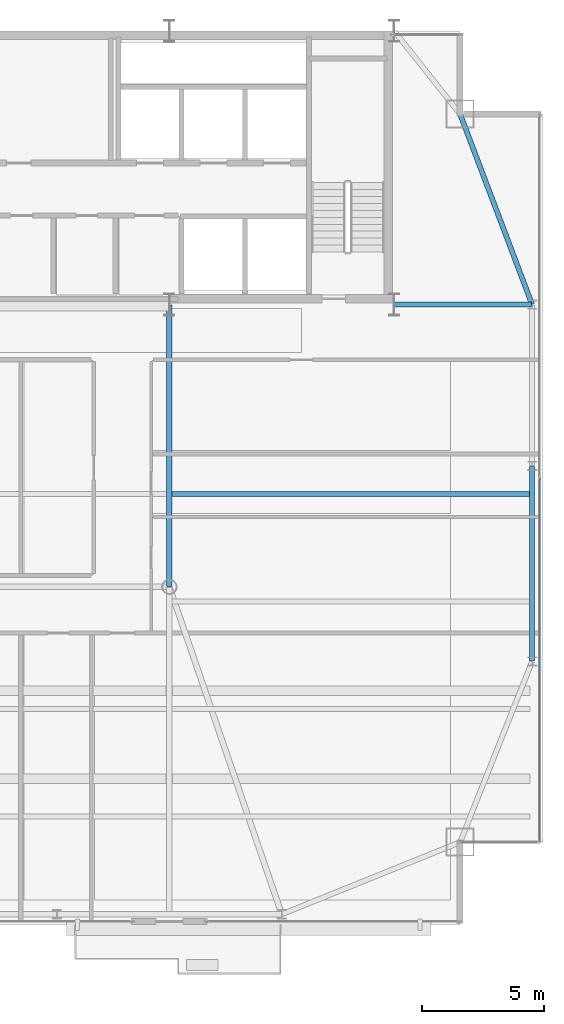
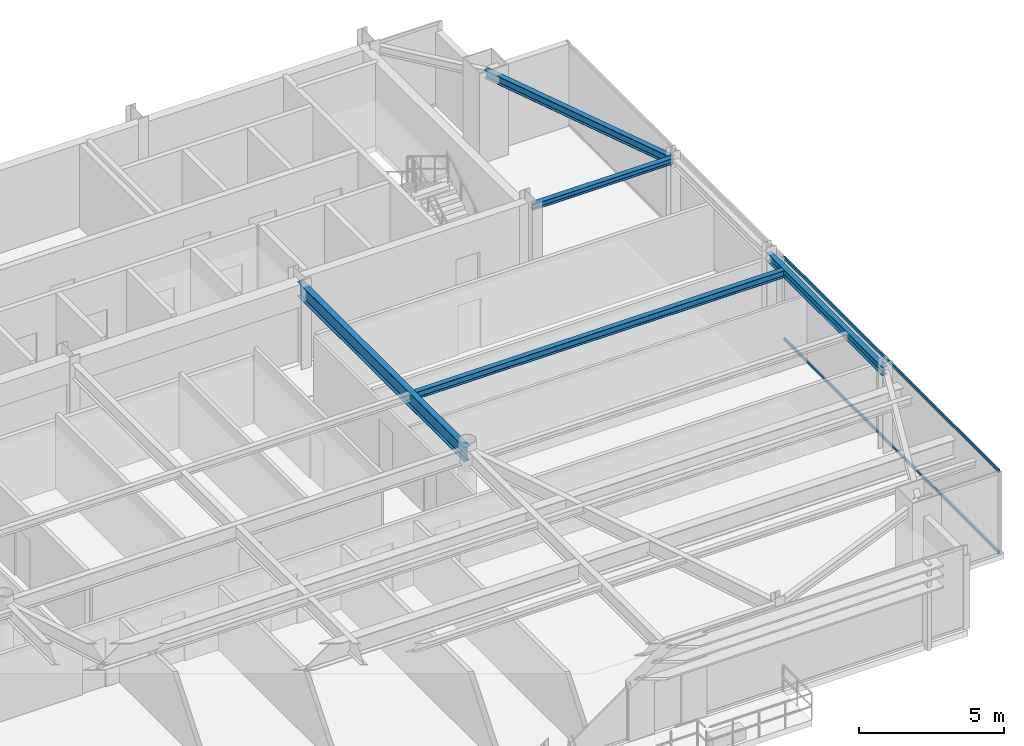
# One storey, part 18 of 28: 5 beams, 2 members, 1 element without a shape of its own.
"""IFC4 building model written with IfcOpenShell, lengths in metres."""

import ifcopenshell
import ifcopenshell.guid

model = None  # the IFC model being written
_history = None  # IfcOwnerHistory: only IFC2X3 demands one
_inside = {}  # id of a spatial element -> (the spatial element, [elements in it])
_under = {}  # id of a project, library or spatial element -> (it, [spatial elements below it])
_declared = {}  # id of a project -> (the project, [libraries it declares])
_typed = {}  # id of a type object -> (the type object, [elements of that type])
_made_of = {}  # id of a material, layer set ... -> (it, [elements and type objects made of it])


def new_model(schema):
    """Start an empty IFC model of exactly this schema.

    Asked for "IFC4X3", IfcOpenShell would pick the latest addendum, in which some entities
    have other attributes; the version numbers below select the first issue.
    IFC2X3 requires an IfcOwnerHistory on every rooted entity: one is made here for all.
    """
    global model, _history
    if schema == "IFC4X3":
        model = ifcopenshell.file(schema_version=(4, 3, 0, 0))
    else:
        model = ifcopenshell.file(schema=schema)
    _inside.clear()
    _under.clear()
    _declared.clear()
    _typed.clear()
    _made_of.clear()
    _history = None
    if model.schema == "IFC2X3":
        org = make("IfcOrganization", Name="unknown")
        user = make(
            "IfcPersonAndOrganization",
            ThePerson=make("IfcPerson", FamilyName="unknown"),
            TheOrganization=org,
        )
        app = make(
            "IfcApplication",
            ApplicationDeveloper=org,
            Version="unknown",
            ApplicationFullName="unknown",
            ApplicationIdentifier="unknown",
        )
        _history = make(
            "IfcOwnerHistory",
            OwningUser=user,
            OwningApplication=app,
            ChangeAction="ADDED",
            CreationDate=0,
        )
    return model


def make(cls, **values):
    """One entity of the class cls with the attributes given. An attribute that is None is left unset."""
    return model.create_entity(
        cls, **{name: value for name, value in values.items() if value is not None}
    )


def rooted(cls, **values):
    """An entity with a GlobalId (a new one), such as an element, a storey or a relation."""
    return make(cls, GlobalId=ifcopenshell.guid.new(), OwnerHistory=_history, **values)


def si_unit(unit_type, name, prefix=None):
    """IfcSIUnit, for example si_unit("LENGTHUNIT", "METRE", prefix="MILLI")."""
    return make("IfcSIUnit", UnitType=unit_type, Prefix=prefix, Name=name)


def assignment(units):
    """IfcUnitAssignment: the units of a project."""
    return None if units is None else make("IfcUnitAssignment", Units=units)


def point(xyz):
    """IfcCartesianPoint."""
    return None if xyz is None else make("IfcCartesianPoint", Coordinates=xyz)


def direction(xyz):
    """IfcDirection."""
    return None if xyz is None else make("IfcDirection", DirectionRatios=xyz)


def frame(location, z_axis=None, x_axis=None):
    """IfcAxis2Placement3D, a coordinate frame: its origin and axes. An axis left out is left unset."""
    return make(
        "IfcAxis2Placement3D",
        Location=point(location),
        Axis=direction(z_axis),
        RefDirection=direction(x_axis),
    )


def frame_2d(location, x_axis=None):
    """IfcAxis2Placement2D, a coordinate frame in the plane: its origin and x axis."""
    return make(
        "IfcAxis2Placement2D", Location=point(location), RefDirection=direction(x_axis)
    )


def origin():
    """The frame at (0, 0, 0) with its axes left unset."""
    return frame((0.0, 0.0, 0.0))


def origin_2d():
    """The frame at (0, 0) in the plane with its x axis left unset."""
    return frame_2d((0.0, 0.0))


def place(relative_to, where):
    """IfcLocalPlacement: puts the frame where relative to a parent placement (None: the world)."""
    return make(
        "IfcLocalPlacement", PlacementRelTo=relative_to, RelativePlacement=where
    )


def context(
    kind, dimensions, precision=None, world=None, true_north=None, identifier=None
):
    """IfcGeometricRepresentationContext, for example the 3D "Model" context."""
    return make(
        "IfcGeometricRepresentationContext",
        ContextIdentifier=identifier,
        ContextType=kind,
        CoordinateSpaceDimension=dimensions,
        Precision=precision,
        WorldCoordinateSystem=world,
        TrueNorth=true_north,
    )


def subcontext(parent, identifier, kind, view, scale=None):
    """IfcGeometricRepresentationSubContext, for example "Body" below "Model"."""
    return make(
        "IfcGeometricRepresentationSubContext",
        ContextIdentifier=identifier,
        ContextType=kind,
        ParentContext=parent,
        TargetScale=scale,
        TargetView=view,
    )


def project(units=None, contexts=None):
    """IfcProject with its units and contexts."""
    return rooted(
        "IfcProject",
        Name="project",
        RepresentationContexts=contexts,
        UnitsInContext=assignment(units),
    )


def spatial(cls, under=None, at=None, **own):
    """A site, building, storey or space (cls), placed at a placement, below another one or the project."""
    s = rooted(cls, ObjectPlacement=at, **own)
    if under is not None:
        _under.setdefault(under.id(), (under, []))[1].append(s)
    return s


def profile(cls, at=None, kind="AREA", **sizes):
    """A parametric profile (cls). Its sizes go by their IFC names, for example OverallWidth=200.0."""
    return make(cls, ProfileType=kind, Position=at, **sizes)


def hollow_rectangle(**sizes):
    """IfcRectangleHollowProfileDef."""
    return profile("IfcRectangleHollowProfileDef", **sizes)


def i_section(**sizes):
    """IfcIShapeProfileDef."""
    return profile("IfcIShapeProfileDef", **sizes)


def extrude(swept, where, along, depth):
    """IfcExtrudedAreaSolid: the profile swept, set in the frame where, extruded along a direction by depth."""
    return make(
        "IfcExtrudedAreaSolid",
        SweptArea=swept,
        Position=where,
        ExtrudedDirection=direction(along),
        Depth=depth,
    )


def shape(context_of_items, identifier, shape_type, items):
    """IfcShapeRepresentation: the items that make up one representation, for example the "Body"."""
    return make(
        "IfcShapeRepresentation",
        ContextOfItems=context_of_items,
        RepresentationIdentifier=identifier,
        RepresentationType=shape_type,
        Items=items,
    )


def source(mapping_origin, context_of_items, identifier, shape_type, items):
    """IfcRepresentationMap: a shape defined once, which mapped items show again and again."""
    return make(
        "IfcRepresentationMap",
        MappingOrigin=mapping_origin,
        MappedRepresentation=shape(context_of_items, identifier, shape_type, items),
    )


def transform(
    local_origin,
    x_axis=None,
    y_axis=None,
    z_axis=None,
    scale=None,
    scale2=None,
    scale3=None,
    uniform=True,
):
    """IfcCartesianTransformationOperator3D, or its non-uniform kind. x_axis, y_axis, z_axis: its Axis1, 2, 3."""
    if uniform:
        return make(
            "IfcCartesianTransformationOperator3D",
            Axis1=direction(x_axis),
            Axis2=direction(y_axis),
            LocalOrigin=point(local_origin),
            Scale=scale,
            Axis3=direction(z_axis),
        )
    return make(
        "IfcCartesianTransformationOperator3DnonUniform",
        Axis1=direction(x_axis),
        Axis2=direction(y_axis),
        LocalOrigin=point(local_origin),
        Scale=scale,
        Axis3=direction(z_axis),
        Scale2=scale2,
        Scale3=scale3,
    )


def mapped(mapping_source, mapping_target):
    """IfcMappedItem: shows the shape of a source again, moved by a transform."""
    return make(
        "IfcMappedItem", MappingSource=mapping_source, MappingTarget=mapping_target
    )


def material(Name=None, Category=None):
    """IfcMaterial."""
    return make("IfcMaterial", Name=Name, Category=Category)


def layer(
    of_material, thickness, ventilated=None, Name=None, Category=None, Priority=None
):
    """IfcMaterialLayer: one layer of a wall or slab, of a material (None: an air gap)."""
    return make(
        "IfcMaterialLayer",
        Material=of_material,
        LayerThickness=thickness,
        IsVentilated=ventilated,
        Name=Name,
        Category=Category,
        Priority=Priority,
    )


def layer_set(layers, Name=None):
    """IfcMaterialLayerSet."""
    return make("IfcMaterialLayerSet", MaterialLayers=layers, LayerSetName=Name)


def material_profile(
    of_material, cross_section, Name=None, Category=None, Priority=None
):
    """IfcMaterialProfile: a cross section and its material."""
    return make(
        "IfcMaterialProfile",
        Name=Name,
        Material=of_material,
        Profile=cross_section,
        Priority=Priority,
        Category=Category,
    )


def profile_set(profiles, Name=None, composite=None):
    """IfcMaterialProfileSet."""
    return make(
        "IfcMaterialProfileSet",
        Name=Name,
        MaterialProfiles=profiles,
        CompositeProfile=composite,
    )


def made_of(thing, what):
    """Note that an element or type object is made of a material, layer set ...; save() writes the relation."""
    if what is not None:
        _made_of.setdefault(what.id(), (what, []))[1].append(thing)
    return thing


def type_object(cls, material=None, **own):
    """A type object (cls), such as IfcWallType, which elements share."""
    return made_of(rooted(cls, **own), material)


def type_shapes(of_type, sources):
    """Give a type object the sources (RepresentationMaps) that its elements show as mapped items."""
    of_type.RepresentationMaps = sources


def element(
    cls,
    number,
    at=None,
    inside=None,
    cuts=None,
    type_object=None,
    material=None,
    context=None,
    identifier="Body",
    shape_type=None,
    held_by="IfcProductDefinitionShape",
    body=None,
    shapes=None,
    **own,
):
    """One element of the class cls, such as IfcWall. Its Tag is "e" and its number.

    at: its placement. inside: the storey or other place that contains it. cuts: it is an
    opening in that element (IfcRelVoidsElement). A single representation is given by context,
    identifier, shape_type and body (its items); several are given by shapes. held_by: the class
    of the entity that holds the representations. save() writes the other relations.
    """
    e = rooted(cls, Tag="e%d" % number, ObjectPlacement=at, **own)
    if body is not None:
        shapes = [shape(context, identifier, shape_type, body)]
    if shapes is not None:
        e.Representation = make(held_by, Representations=shapes)
    if inside is not None:
        _inside.setdefault(inside.id(), (inside, []))[1].append(e)
    if cuts is not None:
        rooted(
            "IfcRelVoidsElement", RelatingBuildingElement=cuts, RelatedOpeningElement=e
        )
    if type_object is not None:
        _typed.setdefault(type_object.id(), (type_object, []))[1].append(e)
    return made_of(e, material)


def aggregate(whole, parts):
    """IfcRelAggregates: a whole, such as a stair, and the parts it consists of."""
    return rooted("IfcRelAggregates", RelatingObject=whole, RelatedObjects=parts)


def save(model, path):
    """Write the relations noted so far, then the file.

    IfcRelAggregates (storeys below a building ...), IfcRelContainedInSpatialStructure (elements
    in a storey), IfcRelDefinesByType, IfcRelAssociatesMaterial and IfcRelDeclares: one each for
    every whole, place, type object, material and project.
    """
    for whole, parts in _under.values():
        aggregate(whole, parts)
    for where, things in _inside.values():
        rooted(
            "IfcRelContainedInSpatialStructure",
            RelatedElements=things,
            RelatingStructure=where,
        )
    for kind, things in _typed.values():
        rooted("IfcRelDefinesByType", RelatedObjects=things, RelatingType=kind)
    for what, things in _made_of.values():
        rooted("IfcRelAssociatesMaterial", RelatedObjects=things, RelatingMaterial=what)
    for by, libraries in _declared.values():
        rooted("IfcRelDeclares", RelatingContext=by, RelatedDefinitions=libraries)
    model.write(path)


model = new_model("IFC4")

# Units and contexts
model_context = context("Model", 3, precision=1e-05, world=origin(), true_north=direction((0.0, 1.0)))
body_context = subcontext(model_context, "Body", "Model", "MODEL_VIEW")
ifc_project = project(units=[si_unit("LENGTHUNIT", "METRE"), si_unit("AREAUNIT", "SQUARE_METRE"), si_unit("VOLUMEUNIT", "CUBIC_METRE"), si_unit("PLANEANGLEUNIT", "RADIAN"), si_unit("MASSUNIT", "GRAM", prefix="KILO")], contexts=[model_context])

# Site, building, storey
site_placement = place(None, origin())
site = spatial("IfcSite", under=ifc_project, at=site_placement, CompositionType="ELEMENT")
building_placement = place(site_placement, origin())
building = spatial("IfcBuilding", under=site, at=building_placement, Name="Varnel Quay Broadcast Tower", CompositionType="ELEMENT")
storey_placement = place(building_placement, frame((0.0, 0.0, 230.199951171875)))
storey = spatial("IfcBuildingStorey", under=building, at=storey_placement, Name="L57", CompositionType="ELEMENT", Elevation=230.199951171875)

# Beams
ifc_material_1 = material(Name="Structural Steel CSA G40.21 350W", Category="steel")
ifc_material_profile_1 = material_profile(ifc_material_1, i_section(OverallWidth=0.205078125, OverallDepth=0.35400390625, WebThickness=0.009521484375, FlangeThickness=0.016845703125, FilletRadius=0.012939453125, at=origin_2d()), Name="W360X79")
ifc_profile_set_1 = profile_set([ifc_material_profile_1], Name="Structural Steel CSA G40.21 350W")
beam_type_1 = type_object("IfcBeamType", Name="Beam_W360X79", PredefinedType="SPANDREL", material=ifc_profile_set_1)
shared_shape_1 = source(origin(), body_context, "Body", "SweptSolid", [
    extrude(i_section(OverallWidth=0.205078125, OverallDepth=0.35400390625, WebThickness=0.009521484375, FlangeThickness=0.016845703125, FilletRadius=0.012939453125, at=origin_2d()), origin(), (0.0, 0.0, 1.0), 7.9599609375),
])
beam_1_placement = place(storey_placement, frame((58.050048828125, 21.02001953125, 3.302978515625), z_axis=(0.0, 1.0, 0.0), x_axis=(-1.0, 0.0, 0.0)))
element("IfcBeam", 1, at=beam_1_placement, inside=storey, type_object=beam_type_1, Name="L57 East Spandrel TC-E1-TC-E2", PredefinedType="SPANDREL", context=body_context, shape_type="MappedRepresentation", body=[
    mapped(shared_shape_1, transform((0.0, 0.0, 0.0), x_axis=(1.0, 0.0, 0.0), y_axis=(0.0, 1.0, 0.0), z_axis=(0.0, 0.0, 1.0), scale=1.0)),
])
shared_shape_2 = source(origin(), body_context, "Body", "SweptSolid", [
    extrude(i_section(OverallWidth=0.205078125, OverallDepth=0.35400390625, WebThickness=0.009521484375, FlangeThickness=0.016845703125, FilletRadius=0.012939453125, at=origin_2d()), origin(), (0.0, 0.0, 1.0), 8.29931640625),
])
type_shapes(beam_type_1, [shared_shape_1, shared_shape_2])
beam_2_placement = place(storey_placement, frame((58.04296875, 35.61865234375, 3.302978515625), z_axis=(-0.353739782058, 0.935343876117, 0.0), x_axis=(-0.935343876117, -0.353739782058, 0.0)))
element("IfcBeam", 2, at=beam_2_placement, inside=storey, type_object=beam_type_1, Name="L57 East Spandrel TC-E3-MC-NE", PredefinedType="SPANDREL", context=body_context, shape_type="MappedRepresentation", body=[
    mapped(shared_shape_2, transform((0.0, 0.0, 0.0), x_axis=(1.0, 0.0, 0.0), y_axis=(0.0, 1.0, 0.0), z_axis=(0.0, 0.0, 1.0), scale=1.0)),
])
ifc_material_profile_2 = material_profile(ifc_material_1, i_section(OverallWidth=0.22998046875, OverallDepth=0.616943359375, WebThickness=0.01318359375, FlangeThickness=0.022216796875, FilletRadius=0.01611328125, at=origin_2d()), Name="W610X140")
ifc_profile_set_2 = profile_set([ifc_material_profile_2], Name="Structural Steel CSA G40.21 350W")
beam_type_2 = type_object("IfcBeamType", Name="Girder_W610X140", PredefinedType="BEAM", material=ifc_profile_set_2)
shared_shape_3 = source(origin(), body_context, "Body", "SweptSolid", [
    extrude(i_section(OverallWidth=0.22998046875, OverallDepth=0.616943359375, WebThickness=0.01318359375, FlangeThickness=0.022216796875, FilletRadius=0.01611328125, at=origin_2d()), origin(), (0.0, 0.0, 1.0), 11.510009765625),
])
type_shapes(beam_type_2, [shared_shape_3])
beam_3_placement = place(storey_placement, frame((43.199951171875, 24.070068359375, 3.171630859375), z_axis=(0.0, 1.0, 0.0), x_axis=(-1.0, 0.0, 0.0)))
element("IfcBeam", 3, at=beam_3_placement, inside=storey, type_object=beam_type_2, Name="L57 Primary Girder IC-02-CC-S4", PredefinedType="BEAM", context=body_context, shape_type="MappedRepresentation", body=[
    mapped(shared_shape_3, transform((0.0, 0.0, 0.0), x_axis=(1.0, 0.0, 0.0), y_axis=(0.0, 1.0, 0.0), z_axis=(0.0, 0.0, 1.0), scale=1.0)),
])
ifc_material_profile_3 = material_profile(ifc_material_1, i_section(OverallWidth=0.201904296875, OverallDepth=0.2470703125, WebThickness=0.00732421875, FlangeThickness=0.010986328125, FilletRadius=0.010986328125, at=origin_2d()), Name="W250X49")
ifc_profile_set_3 = profile_set([ifc_material_profile_3], Name="Structural Steel CSA G40.21 350W")
beam_type_3 = type_object("IfcBeamType", Name="Beam_W250X49", PredefinedType="JOIST", material=ifc_profile_set_3)
shared_shape_4 = source(origin(), body_context, "Body", "SweptSolid", [
    extrude(i_section(OverallWidth=0.201904296875, OverallDepth=0.2470703125, WebThickness=0.00732421875, FlangeThickness=0.010986328125, FilletRadius=0.010986328125, at=origin_2d()), origin(), (0.0, 0.0, 1.0), 5.610107421875),
])
type_shapes(beam_type_3, [shared_shape_4])
beam_4_placement = place(storey_placement, frame((52.419921875, 35.60009765625, 3.3564453125), z_axis=(1.0, 0.0, 0.0), x_axis=(0.0, 1.0, 0.0)))
element("IfcBeam", 4, at=beam_4_placement, inside=storey, type_object=beam_type_3, Name="L57 East Core Tie Joist", PredefinedType="JOIST", context=body_context, shape_type="MappedRepresentation", body=[
    mapped(shared_shape_4, transform((0.0, 0.0, 0.0), x_axis=(1.0, 0.0, 0.0), y_axis=(0.0, 1.0, 0.0), z_axis=(0.0, 0.0, 1.0), scale=1.0)),
])
ifc_material_profile_4 = material_profile(ifc_material_1, i_section(OverallWidth=0.202880859375, OverallDepth=0.302978515625, WebThickness=0.007568359375, FlangeThickness=0.01318359375, FilletRadius=0.011962890625, at=origin_2d()), Name="W310X60")
ifc_profile_set_4 = profile_set([ifc_material_profile_4], Name="Structural Steel CSA G40.21 350W")
beam_type_4 = type_object("IfcBeamType", Name="Beam_W310X60", PredefinedType="JOIST", material=ifc_profile_set_4)
shared_shape_5 = source(origin(), body_context, "Body", "SweptSolid", [
    extrude(i_section(OverallWidth=0.202880859375, OverallDepth=0.302978515625, WebThickness=0.007568359375, FlangeThickness=0.01318359375, FilletRadius=0.011962890625, at=origin_2d()), origin(), (0.0, 0.0, 1.0), 14.642333984375),
])
type_shapes(beam_type_4, [shared_shape_5])
beam_5_placement = place(storey_placement, frame((43.31005859375, 27.85009765625, 3.32861328125), z_axis=(1.0, 0.0, 0.0), x_axis=(0.0, 1.0, 0.0)))
element("IfcBeam", 5, at=beam_5_placement, inside=storey, type_object=beam_type_4, Name="L57 East Floor Joist 4", PredefinedType="JOIST", context=body_context, shape_type="MappedRepresentation", body=[
    mapped(shared_shape_5, transform((0.0, 0.0, 0.0), x_axis=(1.0, 0.0, 0.0), y_axis=(0.0, 1.0, 0.0), z_axis=(0.0, 0.0, 1.0), scale=1.0)),
])

# Curtain wall, members
ifc_material_2 = material(Name="Anodised Bronze Aluminium 6063-T6", Category="aluminium")
ifc_layer = layer(ifc_material_2, 0.18994140625, Name="Anodised Bronze Aluminium 6063-T6")
ifc_layer_set = layer_set([ifc_layer], Name="Anodised Bronze Aluminium 6063-T6")
curtain_wall_type = type_object("IfcCurtainWallType", Name="CW_UpperTower", PredefinedType="NOTDEFINED", material=ifc_layer_set)
curtain_wall_placement = place(storey_placement, origin())
curtain_wall = element("IfcCurtainWall", 6, at=curtain_wall_placement, inside=storey, type_object=curtain_wall_type, Name="L57 East Unitised Curtain Wall", PredefinedType="NOTDEFINED")
ifc_material_profile_5 = material_profile(ifc_material_2, hollow_rectangle(XDim=0.06005859375, YDim=0.125, WallThickness=0.0029296875, at=origin_2d()), Name="ALU60X125X3")
ifc_profile_set_5 = profile_set([ifc_material_profile_5], Name="Anodised Bronze Aluminium 6063-T6")
member_type = type_object("IfcMemberType", Name="Tran_CWS-03", PredefinedType="USERDEFINED", material=ifc_profile_set_5)
shared_shape_6 = source(origin(), body_context, "Body", "SweptSolid", [
    extrude(hollow_rectangle(XDim=0.06005859375, YDim=0.125, WallThickness=0.0029296875, at=origin_2d()), origin(), (0.0, 0.0, 1.0), 14.802490234375),
])
type_shapes(member_type, [shared_shape_6])
member_1_placement = place(storey_placement, frame((58.35009765625, 13.6650390625, 0.030029296875), z_axis=(0.0, 1.0, 0.0), x_axis=(-1.0, 0.0, 0.0)))
member_1 = element("IfcMember", 7, at=member_1_placement, type_object=member_type, Name="CWS-03 transom 1.1", ObjectType="TRANSOM", PredefinedType="USERDEFINED", context=body_context, shape_type="MappedRepresentation", body=[
    mapped(shared_shape_6, transform((0.0, 0.0, 0.0), x_axis=(1.0, 0.0, 0.0), y_axis=(0.0, 1.0, 0.0), z_axis=(0.0, 0.0, 1.0), scale=1.0)),
])
member_2_placement = place(storey_placement, frame((58.35009765625, 13.6650390625, 3.449951171875), z_axis=(0.0, 1.0, 0.0), x_axis=(-1.0, 0.0, 0.0)))
member_2 = element("IfcMember", 8, at=member_2_placement, type_object=member_type, Name="CWS-03 transom 1.2", ObjectType="TRANSOM", PredefinedType="USERDEFINED", context=body_context, shape_type="MappedRepresentation", body=[
    mapped(shared_shape_6, transform((0.0, 0.0, 0.0), x_axis=(1.0, 0.0, 0.0), y_axis=(0.0, 1.0, 0.0), z_axis=(0.0, 0.0, 1.0), scale=1.0)),
])
aggregate(curtain_wall, [member_1, member_2])

save(model, "model.ifc")
